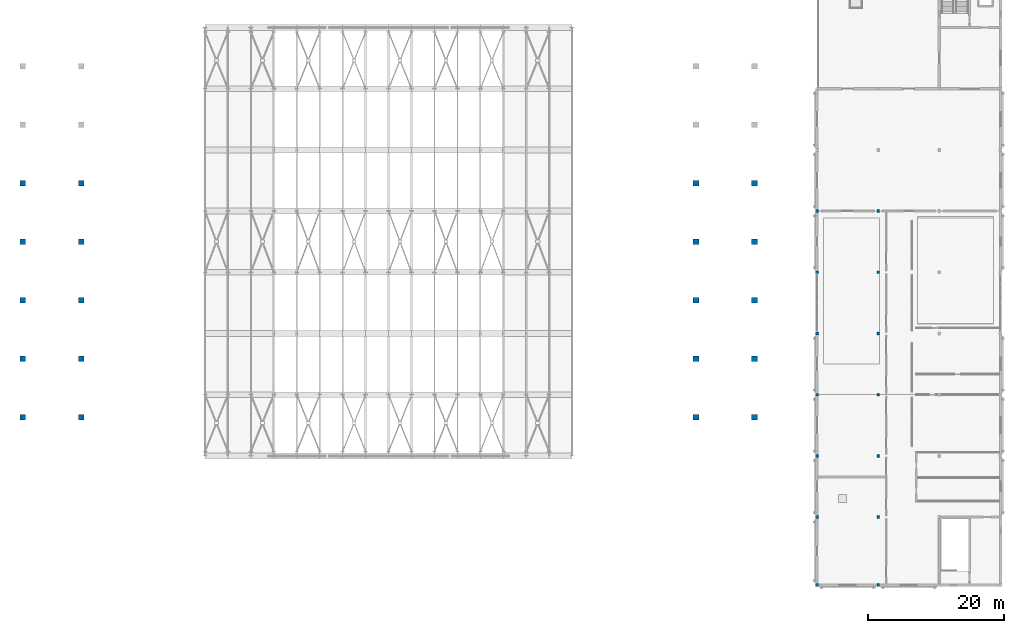
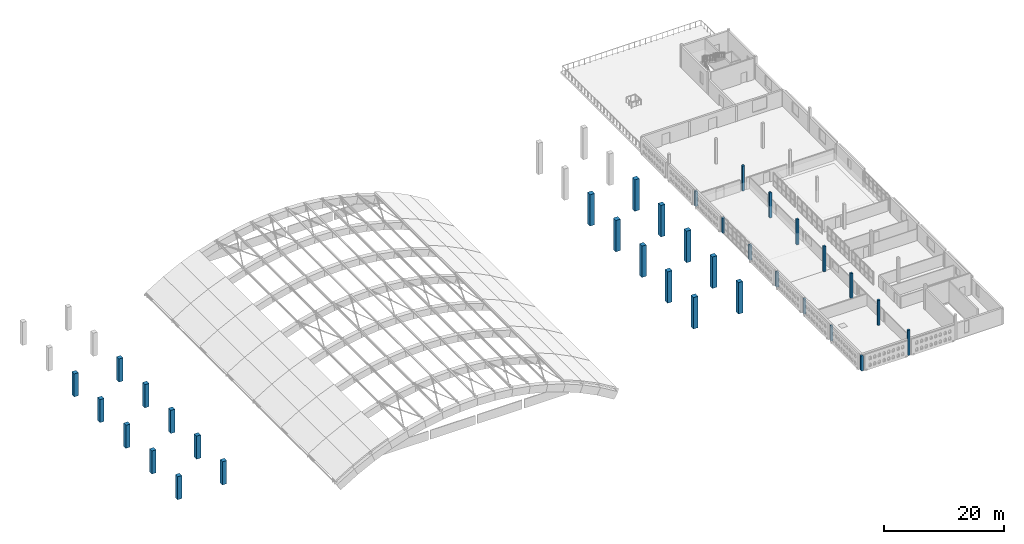
# One storey, part 1 of 30: 34 columns.
"""IFC4 building model written with IfcOpenShell, lengths in metres."""

from ifc_helpers import new_model, si_unit, direction, frame, origin, origin_2d, place, context, subcontext, project, spatial, rectangle, extrude, material, material_profile, profile_set, type_object, element, save


model = new_model("IFC4")

# Units and contexts
model_context = context("Model", 3, precision=1e-05, world=origin(), true_north=direction((0.0, 1.0)))
body_context = subcontext(model_context, "Body", "Model", "MODEL_VIEW")
ifc_project = project(units=[si_unit("LENGTHUNIT", "METRE"), si_unit("AREAUNIT", "SQUARE_METRE"), si_unit("VOLUMEUNIT", "CUBIC_METRE"), si_unit("PLANEANGLEUNIT", "RADIAN"), si_unit("MASSUNIT", "GRAM", prefix="KILO")], contexts=[model_context])

# Site, building, storey
site_placement = place(None, origin())
site = spatial("IfcSite", under=ifc_project, at=site_placement, CompositionType="ELEMENT")
building_placement = place(site_placement, origin())
building = spatial("IfcBuilding", under=site, at=building_placement, Name="Ornek Quay Market", CompositionType="ELEMENT")
storey_placement = place(building_placement, frame((0.0, 0.0, 12.0)))
storey = spatial("IfcBuildingStorey", under=building, at=storey_placement, Name="L03", CompositionType="ELEMENT", Elevation=12.0)

# Columns
ifc_material = material(Name="Concrete C40/50", Category="concrete")
ifc_material_profile_1 = material_profile(ifc_material, rectangle(XDim=0.39990234375, YDim=0.39990234375, at=origin_2d()), Name="RC 400x400", Category="concrete")
ifc_profile_set_1 = profile_set([ifc_material_profile_1], Name="Concrete C40/50")
column_type_1 = type_object("IfcColumnType", Name="COL-RC-400x400", PredefinedType="COLUMN", material=ifc_profile_set_1)
for number, where, z_axis, x_axis, name in (
    (1, (153.0, 10.0, 0.0), (0.0, 0.0, 1.0), (1.0, 0.0, 0.0), "Column C-40-001"),
    (2, (153.0, 20.0, 0.0), (0.0, 0.0, 1.0), (1.0, 0.0, 0.0), "Column C-40-002"),
    (3, (153.0, 29.0, 0.0), (0.0, 0.0, 1.0), (1.0, 0.0, 0.0), "Column C-40-003"),
    (4, (153.0, 38.0, 0.0), (0.0, 0.0, 1.0), (1.0, 0.0, 0.0), "Column C-40-004"),
    (5, (153.0, 47.0, 0.0), (0.0, 0.0, 1.0), (1.0, 0.0, 0.0), "Column C-40-005"),
    (6, (153.0, 56.0, 0.0), (0.0, 0.0, 1.0), (1.0, 0.0, 0.0), "Column C-40-006"),
    (7, (153.0, 65.0, 0.0), (0.0, 0.0, 1.0), (1.0, 0.0, 0.0), "Column C-40-007"),
):
    element("IfcColumn", number, at=place(storey_placement, frame(where, z_axis=z_axis, x_axis=x_axis)), inside=storey, type_object=column_type_1, Name=name, PredefinedType="COLUMN", context=body_context, shape_type="SweptSolid", body=[
        extrude(rectangle(XDim=0.39990234375, YDim=0.39990234375, at=origin_2d()), origin(), (0.0, 0.0, 1.0), 3.080078125),
    ])
for number, where, z_axis, x_axis, name in (
    (8, (162.0, 10.0, 0.0), (0.0, 0.0, 1.0), (1.0, 0.0, 0.0), "Column C-40-010"),
    (9, (162.0, 20.0, 0.0), (0.0, 0.0, 1.0), (1.0, 0.0, 0.0), "Column C-40-011"),
    (10, (162.0, 29.0, 0.0), (0.0, 0.0, 1.0), (1.0, 0.0, 0.0), "Column C-40-012"),
    (11, (162.0, 38.0, 0.0), (0.0, 0.0, 1.0), (1.0, 0.0, 0.0), "Column C-40-013"),
    (12, (162.0, 47.0, 0.0), (0.0, 0.0, 1.0), (1.0, 0.0, 0.0), "Column C-40-014"),
    (13, (162.0, 56.0, 0.0), (0.0, 0.0, 1.0), (1.0, 0.0, 0.0), "Column C-40-015"),
    (14, (162.0, 65.0, 0.0), (0.0, 0.0, 1.0), (1.0, 0.0, 0.0), "Column C-40-016"),
):
    element("IfcColumn", number, at=place(storey_placement, frame(where, z_axis=z_axis, x_axis=x_axis)), inside=storey, type_object=column_type_1, Name=name, PredefinedType="COLUMN", context=body_context, shape_type="SweptSolid", body=[
        extrude(rectangle(XDim=0.39990234375, YDim=0.39990234375, at=origin_2d()), origin(), (0.0, 0.0, 1.0), 5.080078125),
    ])
ifc_material_profile_2 = material_profile(ifc_material, rectangle(XDim=0.800048828125, YDim=0.800048828125, at=origin_2d()), Name="RC 800x800", Category="concrete")
ifc_profile_set_2 = profile_set([ifc_material_profile_2], Name="Concrete C40/50")
column_type_2 = type_object("IfcColumnType", Name="COL-UMB-800x800", PredefinedType="COLUMN", material=ifc_profile_set_2)
for number, where, z_axis, x_axis, name in (
    (15, (36.199951171875, 34.699951171875, 0.0), (0.0, 0.0, 1.0), (1.0, 0.0, 0.0), "Umbrella column UMB-W01 (L03)"),
    (16, (36.199951171875, 43.300048828125, 0.0), (0.0, 0.0, 1.0), (1.0, 0.0, 0.0), "Umbrella column UMB-W02 (L03)"),
    (17, (36.199951171875, 51.89990234375, 0.0), (0.0, 0.0, 1.0), (1.0, 0.0, 0.0), "Umbrella column UMB-W03 (L03)"),
    (18, (36.199951171875, 60.5, 0.0), (0.0, 0.0, 1.0), (1.0, 0.0, 0.0), "Umbrella column UMB-W04 (L03)"),
    (19, (36.199951171875, 69.10009765625, 0.0), (0.0, 0.0, 1.0), (1.0, 0.0, 0.0), "Umbrella column UMB-W05 (L03)"),
    (20, (44.800048828125, 34.699951171875, 0.0), (0.0, 0.0, 1.0), (1.0, 0.0, 0.0), "Umbrella column UMB-W08 (L03)"),
    (21, (44.800048828125, 43.300048828125, 0.0), (0.0, 0.0, 1.0), (1.0, 0.0, 0.0), "Umbrella column UMB-W09 (L03)"),
    (22, (44.800048828125, 51.89990234375, 0.0), (0.0, 0.0, 1.0), (1.0, 0.0, 0.0), "Umbrella column UMB-W10 (L03)"),
    (23, (44.800048828125, 60.5, 0.0), (0.0, 0.0, 1.0), (1.0, 0.0, 0.0), "Umbrella column UMB-W11 (L03)"),
    (24, (44.800048828125, 69.10009765625, 0.0), (0.0, 0.0, 1.0), (1.0, 0.0, 0.0), "Umbrella column UMB-W12 (L03)"),
):
    element("IfcColumn", number, at=place(storey_placement, frame(where, z_axis=z_axis, x_axis=x_axis)), inside=storey, type_object=column_type_2, Name=name, PredefinedType="COLUMN", context=body_context, shape_type="SweptSolid", body=[
        extrude(rectangle(XDim=0.800048828125, YDim=0.800048828125, at=origin_2d()), origin(), (0.0, 0.0, 1.0), 4.679931640625),
    ])
ifc_material_profile_3 = material_profile(ifc_material, rectangle(XDim=0.85009765625, YDim=0.85009765625, at=origin_2d()), Name="RC 850x850", Category="concrete")
ifc_profile_set_3 = profile_set([ifc_material_profile_3], Name="Concrete C40/50")
column_type_3 = type_object("IfcColumnType", Name="COL-UMB-850x850", PredefinedType="COLUMN", material=ifc_profile_set_3)
for number, where, z_axis, x_axis, name in (
    (25, (135.199951171875, 34.699951171875, 0.0), (0.0, 0.0, 1.0), (1.0, 0.0, 0.0), "Umbrella column UMB-E01 (L03)"),
    (26, (135.199951171875, 43.300048828125, 0.0), (0.0, 0.0, 1.0), (1.0, 0.0, 0.0), "Umbrella column UMB-E02 (L03)"),
    (27, (135.199951171875, 51.89990234375, 0.0), (0.0, 0.0, 1.0), (1.0, 0.0, 0.0), "Umbrella column UMB-E03 (L03)"),
    (28, (135.199951171875, 60.5, 0.0), (0.0, 0.0, 1.0), (1.0, 0.0, 0.0), "Umbrella column UMB-E04 (L03)"),
    (29, (135.199951171875, 69.10009765625, 0.0), (0.0, 0.0, 1.0), (1.0, 0.0, 0.0), "Umbrella column UMB-E05 (L03)"),
    (30, (143.800048828125, 34.699951171875, 0.0), (0.0, 0.0, 1.0), (1.0, 0.0, 0.0), "Umbrella column UMB-E08 (L03)"),
    (31, (143.800048828125, 43.300048828125, 0.0), (0.0, 0.0, 1.0), (1.0, 0.0, 0.0), "Umbrella column UMB-E09 (L03)"),
    (32, (143.800048828125, 51.89990234375, 0.0), (0.0, 0.0, 1.0), (1.0, 0.0, 0.0), "Umbrella column UMB-E10 (L03)"),
    (33, (143.800048828125, 60.5, 0.0), (0.0, 0.0, 1.0), (1.0, 0.0, 0.0), "Umbrella column UMB-E11 (L03)"),
    (34, (143.800048828125, 69.10009765625, 0.0), (0.0, 0.0, 1.0), (1.0, 0.0, 0.0), "Umbrella column UMB-E12 (L03)"),
):
    element("IfcColumn", number, at=place(storey_placement, frame(where, z_axis=z_axis, x_axis=x_axis)), inside=storey, type_object=column_type_3, Name=name, PredefinedType="COLUMN", context=body_context, shape_type="SweptSolid", body=[
        extrude(rectangle(XDim=0.85009765625, YDim=0.85009765625, at=origin_2d()), origin(), (0.0, 0.0, 1.0), 6.3798828125),
    ])

save(model, "model.ifc")
